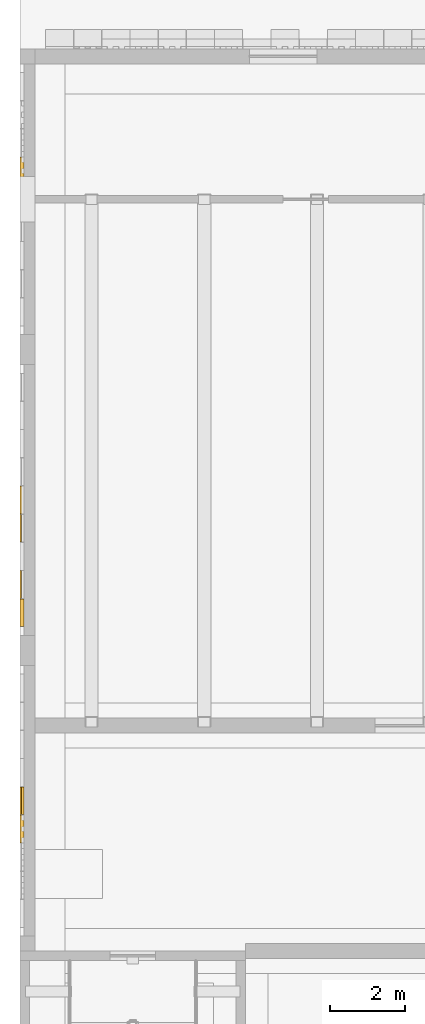
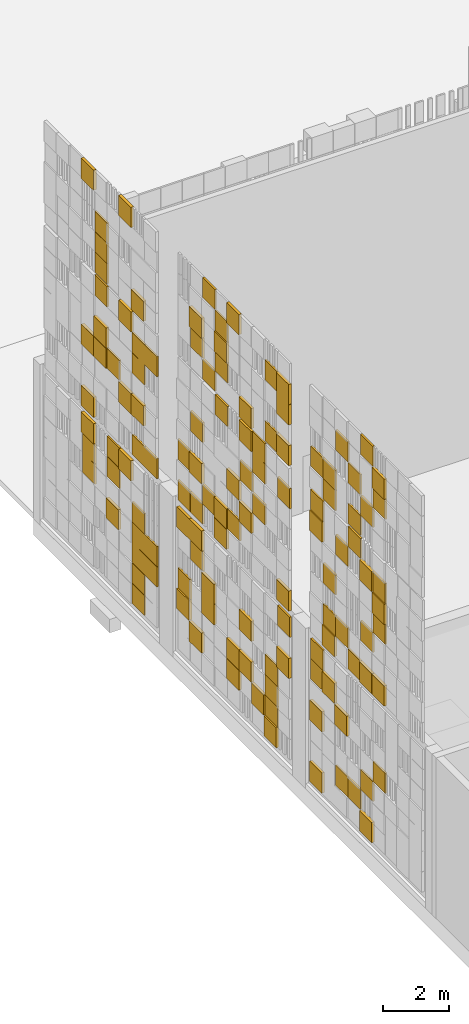
# One storey, part 91 of 125: 2 coverings.
"""IFC4 building model written with IfcOpenShell, lengths in metres."""

from ifc_helpers import new_model, si_unit, direction, frame, origin, origin_2d, place, context, subcontext, project, spatial, rectangle, extrude, material, layer, layer_set, type_object, element, save


model = new_model("IFC4")

# Units and contexts
model_context = context("Model", 3, precision=1e-05, world=origin(), true_north=direction((0.0, 1.0)))
body_context = subcontext(model_context, "Body", "Model", "MODEL_VIEW")
ifc_project = project(units=[si_unit("LENGTHUNIT", "METRE"), si_unit("AREAUNIT", "SQUARE_METRE"), si_unit("VOLUMEUNIT", "CUBIC_METRE"), si_unit("PLANEANGLEUNIT", "RADIAN"), si_unit("MASSUNIT", "GRAM", prefix="KILO")], contexts=[model_context])

# Site, building, storey
site_placement = place(None, origin())
site = spatial("IfcSite", under=ifc_project, at=site_placement, CompositionType="ELEMENT")
building_placement = place(site_placement, origin())
building = spatial("IfcBuilding", under=site, at=building_placement, Name="Sun Court Science Centre", CompositionType="ELEMENT")
storey_placement = place(building_placement, origin())
storey = spatial("IfcBuildingStorey", under=building, at=storey_placement, Name="L00", CompositionType="ELEMENT", Elevation=0.0)

# Coverings
ifc_material_1 = material(Name="Terracotta shade 3", Category="masonry")
ifc_layer_1 = layer(ifc_material_1, 0.06005859375)
ifc_layer_set_1 = layer_set([ifc_layer_1], Name="Terracotta shade 3")
covering_type_1 = type_object("IfcCoveringType", Name="Terracotta pixel panel shade 3", PredefinedType="CLADDING", material=ifc_layer_set_1)
covering_1_placement = place(storey_placement, origin())
element("IfcCovering", 1, at=covering_1_placement, inside=storey, type_object=covering_type_1, Name="Terracotta pixel cladding shade 3 west party wall L00", PredefinedType="CLADDING", context=body_context, shape_type="SweptSolid", body=[
    extrude(rectangle(XDim=0.739990234375, YDim=0.10009765625, at=origin_2d()), frame((0.050048828125, 52.0, 0.22998046875), z_axis=(0.0, 0.0, 1.0), x_axis=(0.0, 1.0, 0.0)), (0.0, 0.0, 1.0), 0.739990234375),
    extrude(rectangle(XDim=0.739990234375, YDim=0.06005859375, at=origin_2d()), frame((0.070068359375, 52.75, 0.97998046875), z_axis=(0.0, 0.0, 1.0), x_axis=(0.0, 1.0, 0.0)), (0.0, 0.0, 1.0), 0.739990234375),
    extrude(rectangle(XDim=0.739990234375, YDim=0.06005859375, at=origin_2d()), frame((0.070068359375, 52.0, 1.72998046875), z_axis=(0.0, 0.0, 1.0), x_axis=(0.0, 1.0, 0.0)), (0.0, 0.0, 1.0), 0.739990234375),
    extrude(rectangle(XDim=0.739990234375, YDim=0.06005859375, at=origin_2d()), frame((0.070068359375, 51.25, 2.47998046875), z_axis=(0.0, 0.0, 1.0), x_axis=(0.0, 1.0, 0.0)), (0.0, 0.0, 1.0), 0.739990234375),
    extrude(rectangle(XDim=0.739990234375, YDim=0.10009765625, at=origin_2d()), frame((0.050048828125, 55.0, 2.47998046875), z_axis=(0.0, 0.0, 1.0), x_axis=(0.0, 1.0, 0.0)), (0.0, 0.0, 1.0), 0.739990234375),
    extrude(rectangle(XDim=0.739990234375, YDim=0.10009765625, at=origin_2d()), frame((0.050048828125, 53.5, 3.22998046875), z_axis=(0.0, 0.0, 1.0), x_axis=(0.0, 1.0, 0.0)), (0.0, 0.0, 1.0), 0.739990234375),
    extrude(rectangle(XDim=0.739990234375, YDim=0.10009765625, at=origin_2d()), frame((0.050048828125, 54.25, 3.97998046875), z_axis=(0.0, 0.0, 1.0), x_axis=(0.0, 1.0, 0.0)), (0.0, 0.0, 1.0), 0.739990234375),
    extrude(rectangle(XDim=0.739990234375, YDim=0.06005859375, at=origin_2d()), frame((0.070068359375, 55.0, 4.72998046875), z_axis=(0.0, 0.0, 1.0), x_axis=(0.0, 1.0, 0.0)), (0.0, 0.0, 1.0), 0.739990234375),
    extrude(rectangle(XDim=0.739990234375, YDim=0.10009765625, at=origin_2d()), frame((0.050048828125, 51.25, 5.705078125), z_axis=(0.0, 0.0, 1.0), x_axis=(0.0, 1.0, 0.0)), (0.0, 0.0, 1.0), 0.739990234375),
    extrude(rectangle(XDim=0.739990234375, YDim=0.10009765625, at=origin_2d()), frame((0.050048828125, 54.25, 5.705078125), z_axis=(0.0, 0.0, 1.0), x_axis=(0.0, 1.0, 0.0)), (0.0, 0.0, 1.0), 0.739990234375),
    extrude(rectangle(XDim=0.739990234375, YDim=0.06005859375, at=origin_2d()), frame((0.070068359375, 53.5, 6.455078125), z_axis=(0.0, 0.0, 1.0), x_axis=(0.0, 1.0, 0.0)), (0.0, 0.0, 1.0), 0.739990234375),
    extrude(rectangle(XDim=0.739990234375, YDim=0.06005859375, at=origin_2d()), frame((0.070068359375, 54.25, 7.955078125), z_axis=(0.0, 0.0, 1.0), x_axis=(0.0, 1.0, 0.0)), (0.0, 0.0, 1.0), 0.739990234375),
    extrude(rectangle(XDim=0.739990234375, YDim=0.10009765625, at=origin_2d()), frame((0.050048828125, 52.0, 9.455078125), z_axis=(0.0, 0.0, 1.0), x_axis=(0.0, 1.0, 0.0)), (0.0, 0.0, 1.0), 0.739990234375),
    extrude(rectangle(XDim=0.739990234375, YDim=0.10009765625, at=origin_2d()), frame((0.050048828125, 55.0, 9.455078125), z_axis=(0.0, 0.0, 1.0), x_axis=(0.0, 1.0, 0.0)), (0.0, 0.0, 1.0), 0.739990234375),
    extrude(rectangle(XDim=0.739990234375, YDim=0.06005859375, at=origin_2d()), frame((0.070068359375, 52.75, 10.205078125), z_axis=(0.0, 0.0, 1.0), x_axis=(0.0, 1.0, 0.0)), (0.0, 0.0, 1.0), 0.739990234375),
    extrude(rectangle(XDim=0.739990234375, YDim=0.06005859375, at=origin_2d()), frame((0.070068359375, 52.0, 11.80126953125), z_axis=(0.0, 0.0, 1.0), x_axis=(0.0, 1.0, 0.0)), (0.0, 0.0, 1.0), 0.739990234375),
    extrude(rectangle(XDim=0.739990234375, YDim=0.06005859375, at=origin_2d()), frame((0.070068359375, 54.25, 11.80126953125), z_axis=(0.0, 0.0, 1.0), x_axis=(0.0, 1.0, 0.0)), (0.0, 0.0, 1.0), 0.739990234375),
    extrude(rectangle(XDim=0.739990234375, YDim=0.06005859375, at=origin_2d()), frame((0.070068359375, 51.25, 12.55126953125), z_axis=(0.0, 0.0, 1.0), x_axis=(0.0, 1.0, 0.0)), (0.0, 0.0, 1.0), 0.739990234375),
    extrude(rectangle(XDim=0.739990234375, YDim=0.06005859375, at=origin_2d()), frame((0.070068359375, 52.75, 12.55126953125), z_axis=(0.0, 0.0, 1.0), x_axis=(0.0, 1.0, 0.0)), (0.0, 0.0, 1.0), 0.739990234375),
    extrude(rectangle(XDim=0.739990234375, YDim=0.06005859375, at=origin_2d()), frame((0.070068359375, 52.0, 14.05126953125), z_axis=(0.0, 0.0, 1.0), x_axis=(0.0, 1.0, 0.0)), (0.0, 0.0, 1.0), 0.739990234375),
    extrude(rectangle(XDim=0.739990234375, YDim=0.10009765625, at=origin_2d()), frame((0.050048828125, 58.5, 0.97998046875), z_axis=(0.0, 0.0, 1.0), x_axis=(0.0, 1.0, 0.0)), (0.0, 0.0, 1.0), 0.739990234375),
    extrude(rectangle(XDim=0.739990234375, YDim=0.10009765625, at=origin_2d()), frame((0.050048828125, 60.0, 0.97998046875), z_axis=(0.0, 0.0, 1.0), x_axis=(0.0, 1.0, 0.0)), (0.0, 0.0, 1.0), 0.739990234375),
    extrude(rectangle(XDim=0.739990234375, YDim=0.10009765625, at=origin_2d()), frame((0.050048828125, 62.25, 0.97998046875), z_axis=(0.0, 0.0, 1.0), x_axis=(0.0, 1.0, 0.0)), (0.0, 0.0, 1.0), 0.739990234375),
    extrude(rectangle(XDim=0.739990234375, YDim=0.06005859375, at=origin_2d()), frame((0.070068359375, 57.75, 1.72998046875), z_axis=(0.0, 0.0, 1.0), x_axis=(0.0, 1.0, 0.0)), (0.0, 0.0, 1.0), 0.739990234375),
    extrude(rectangle(XDim=0.739990234375, YDim=0.10009765625, at=origin_2d()), frame((0.050048828125, 60.0, 1.72998046875), z_axis=(0.0, 0.0, 1.0), x_axis=(0.0, 1.0, 0.0)), (0.0, 0.0, 1.0), 0.739990234375),
    extrude(rectangle(XDim=0.739990234375, YDim=0.10009765625, at=origin_2d()), frame((0.050048828125, 61.5, 2.47998046875), z_axis=(0.0, 0.0, 1.0), x_axis=(0.0, 1.0, 0.0)), (0.0, 0.0, 1.0), 0.739990234375),
    extrude(rectangle(XDim=0.739990234375, YDim=0.10009765625, at=origin_2d()), frame((0.050048828125, 57.0, 3.22998046875), z_axis=(0.0, 0.0, 1.0), x_axis=(0.0, 1.0, 0.0)), (0.0, 0.0, 1.0), 0.739990234375),
    extrude(rectangle(XDim=0.739990234375, YDim=0.10009765625, at=origin_2d()), frame((0.050048828125, 61.5, 3.22998046875), z_axis=(0.0, 0.0, 1.0), x_axis=(0.0, 1.0, 0.0)), (0.0, 0.0, 1.0), 0.739990234375),
    extrude(rectangle(XDim=0.739990234375, YDim=0.06005859375, at=origin_2d()), frame((0.070068359375, 62.25, 3.97998046875), z_axis=(0.0, 0.0, 1.0), x_axis=(0.0, 1.0, 0.0)), (0.0, 0.0, 1.0), 0.739990234375),
    extrude(rectangle(XDim=0.739990234375, YDim=0.10009765625, at=origin_2d()), frame((0.050048828125, 62.25, 4.72998046875), z_axis=(0.0, 0.0, 1.0), x_axis=(0.0, 1.0, 0.0)), (0.0, 0.0, 1.0), 0.739990234375),
    extrude(rectangle(XDim=0.739990234375, YDim=0.10009765625, at=origin_2d()), frame((0.050048828125, 63.0, 4.72998046875), z_axis=(0.0, 0.0, 1.0), x_axis=(0.0, 1.0, 0.0)), (0.0, 0.0, 1.0), 0.739990234375),
    extrude(rectangle(XDim=0.739990234375, YDim=0.10009765625, at=origin_2d()), frame((0.050048828125, 57.0, 5.705078125), z_axis=(0.0, 0.0, 1.0), x_axis=(0.0, 1.0, 0.0)), (0.0, 0.0, 1.0), 0.739990234375),
    extrude(rectangle(XDim=0.739990234375, YDim=0.10009765625, at=origin_2d()), frame((0.050048828125, 60.75, 5.705078125), z_axis=(0.0, 0.0, 1.0), x_axis=(0.0, 1.0, 0.0)), (0.0, 0.0, 1.0), 0.739990234375),
    extrude(rectangle(XDim=0.739990234375, YDim=0.06005859375, at=origin_2d()), frame((0.070068359375, 62.25, 5.705078125), z_axis=(0.0, 0.0, 1.0), x_axis=(0.0, 1.0, 0.0)), (0.0, 0.0, 1.0), 0.739990234375),
    extrude(rectangle(XDim=0.739990234375, YDim=0.10009765625, at=origin_2d()), frame((0.050048828125, 60.75, 6.455078125), z_axis=(0.0, 0.0, 1.0), x_axis=(0.0, 1.0, 0.0)), (0.0, 0.0, 1.0), 0.739990234375),
    extrude(rectangle(XDim=0.739990234375, YDim=0.06005859375, at=origin_2d()), frame((0.070068359375, 61.5, 6.455078125), z_axis=(0.0, 0.0, 1.0), x_axis=(0.0, 1.0, 0.0)), (0.0, 0.0, 1.0), 0.739990234375),
    extrude(rectangle(XDim=0.739990234375, YDim=0.10009765625, at=origin_2d()), frame((0.050048828125, 59.25, 7.205078125), z_axis=(0.0, 0.0, 1.0), x_axis=(0.0, 1.0, 0.0)), (0.0, 0.0, 1.0), 0.739990234375),
    extrude(rectangle(XDim=0.739990234375, YDim=0.10009765625, at=origin_2d()), frame((0.050048828125, 62.25, 7.205078125), z_axis=(0.0, 0.0, 1.0), x_axis=(0.0, 1.0, 0.0)), (0.0, 0.0, 1.0), 0.739990234375),
    extrude(rectangle(XDim=0.739990234375, YDim=0.06005859375, at=origin_2d()), frame((0.070068359375, 63.0, 7.205078125), z_axis=(0.0, 0.0, 1.0), x_axis=(0.0, 1.0, 0.0)), (0.0, 0.0, 1.0), 0.739990234375),
    extrude(rectangle(XDim=0.739990234375, YDim=0.06005859375, at=origin_2d()), frame((0.070068359375, 58.5, 7.955078125), z_axis=(0.0, 0.0, 1.0), x_axis=(0.0, 1.0, 0.0)), (0.0, 0.0, 1.0), 0.739990234375),
    extrude(rectangle(XDim=0.739990234375, YDim=0.06005859375, at=origin_2d()), frame((0.070068359375, 62.25, 8.705078125), z_axis=(0.0, 0.0, 1.0), x_axis=(0.0, 1.0, 0.0)), (0.0, 0.0, 1.0), 0.739990234375),
    extrude(rectangle(XDim=0.739990234375, YDim=0.10009765625, at=origin_2d()), frame((0.050048828125, 59.25, 10.205078125), z_axis=(0.0, 0.0, 1.0), x_axis=(0.0, 1.0, 0.0)), (0.0, 0.0, 1.0), 0.739990234375),
    extrude(rectangle(XDim=0.739990234375, YDim=0.10009765625, at=origin_2d()), frame((0.050048828125, 59.25, 11.05126953125), z_axis=(0.0, 0.0, 1.0), x_axis=(0.0, 1.0, 0.0)), (0.0, 0.0, 1.0), 0.739990234375),
    extrude(rectangle(XDim=0.739990234375, YDim=0.06005859375, at=origin_2d()), frame((0.070068359375, 61.5, 11.05126953125), z_axis=(0.0, 0.0, 1.0), x_axis=(0.0, 1.0, 0.0)), (0.0, 0.0, 1.0), 0.739990234375),
    extrude(rectangle(XDim=0.739990234375, YDim=0.06005859375, at=origin_2d()), frame((0.070068359375, 60.75, 11.80126953125), z_axis=(0.0, 0.0, 1.0), x_axis=(0.0, 1.0, 0.0)), (0.0, 0.0, 1.0), 0.739990234375),
    extrude(rectangle(XDim=0.739990234375, YDim=0.10009765625, at=origin_2d()), frame((0.050048828125, 57.0, 12.55126953125), z_axis=(0.0, 0.0, 1.0), x_axis=(0.0, 1.0, 0.0)), (0.0, 0.0, 1.0), 0.739990234375),
    extrude(rectangle(XDim=0.739990234375, YDim=0.10009765625, at=origin_2d()), frame((0.050048828125, 62.25, 12.55126953125), z_axis=(0.0, 0.0, 1.0), x_axis=(0.0, 1.0, 0.0)), (0.0, 0.0, 1.0), 0.739990234375),
    extrude(rectangle(XDim=0.739990234375, YDim=0.10009765625, at=origin_2d()), frame((0.050048828125, 57.0, 13.30126953125), z_axis=(0.0, 0.0, 1.0), x_axis=(0.0, 1.0, 0.0)), (0.0, 0.0, 1.0), 0.739990234375),
    extrude(rectangle(XDim=0.739990234375, YDim=0.06005859375, at=origin_2d()), frame((0.070068359375, 57.75, 13.30126953125), z_axis=(0.0, 0.0, 1.0), x_axis=(0.0, 1.0, 0.0)), (0.0, 0.0, 1.0), 0.739990234375),
    extrude(rectangle(XDim=0.739990234375, YDim=0.06005859375, at=origin_2d()), frame((0.070068359375, 61.5, 14.05126953125), z_axis=(0.0, 0.0, 1.0), x_axis=(0.0, 1.0, 0.0)), (0.0, 0.0, 1.0), 0.739990234375),
    extrude(rectangle(XDim=0.739990234375, YDim=0.06005859375, at=origin_2d()), frame((0.070068359375, 65.0, 1.72998046875), z_axis=(0.0, 0.0, 1.0), x_axis=(0.0, 1.0, 0.0)), (0.0, 0.0, 1.0), 0.739990234375),
    extrude(rectangle(XDim=0.739990234375, YDim=0.06005859375, at=origin_2d()), frame((0.070068359375, 65.75, 1.72998046875), z_axis=(0.0, 0.0, 1.0), x_axis=(0.0, 1.0, 0.0)), (0.0, 0.0, 1.0), 0.739990234375),
    extrude(rectangle(XDim=0.739990234375, YDim=0.06005859375, at=origin_2d()), frame((0.070068359375, 65.0, 2.47998046875), z_axis=(0.0, 0.0, 1.0), x_axis=(0.0, 1.0, 0.0)), (0.0, 0.0, 1.0), 0.739990234375),
    extrude(rectangle(XDim=0.739990234375, YDim=0.06005859375, at=origin_2d()), frame((0.070068359375, 65.75, 2.47998046875), z_axis=(0.0, 0.0, 1.0), x_axis=(0.0, 1.0, 0.0)), (0.0, 0.0, 1.0), 0.739990234375),
    extrude(rectangle(XDim=0.739990234375, YDim=0.10009765625, at=origin_2d()), frame((0.050048828125, 67.25, 2.47998046875), z_axis=(0.0, 0.0, 1.0), x_axis=(0.0, 1.0, 0.0)), (0.0, 0.0, 1.0), 0.739990234375),
    extrude(rectangle(XDim=0.739990234375, YDim=0.06005859375, at=origin_2d()), frame((0.070068359375, 67.25, 3.97998046875), z_axis=(0.0, 0.0, 1.0), x_axis=(0.0, 1.0, 0.0)), (0.0, 0.0, 1.0), 0.739990234375),
    extrude(rectangle(XDim=0.739990234375, YDim=0.06005859375, at=origin_2d()), frame((0.070068359375, 67.25, 4.72998046875), z_axis=(0.0, 0.0, 1.0), x_axis=(0.0, 1.0, 0.0)), (0.0, 0.0, 1.0), 0.739990234375),
    extrude(rectangle(XDim=0.739990234375, YDim=0.10009765625, at=origin_2d()), frame((0.050048828125, 65.75, 7.205078125), z_axis=(0.0, 0.0, 1.0), x_axis=(0.0, 1.0, 0.0)), (0.0, 0.0, 1.0), 0.739990234375),
    extrude(rectangle(XDim=0.739990234375, YDim=0.06005859375, at=origin_2d()), frame((0.070068359375, 67.25, 7.955078125), z_axis=(0.0, 0.0, 1.0), x_axis=(0.0, 1.0, 0.0)), (0.0, 0.0, 1.0), 0.739990234375),
    extrude(rectangle(XDim=0.739990234375, YDim=0.10009765625, at=origin_2d()), frame((0.050048828125, 68.75, 7.955078125), z_axis=(0.0, 0.0, 1.0), x_axis=(0.0, 1.0, 0.0)), (0.0, 0.0, 1.0), 0.739990234375),
    extrude(rectangle(XDim=0.739990234375, YDim=0.06005859375, at=origin_2d()), frame((0.070068359375, 65.75, 8.705078125), z_axis=(0.0, 0.0, 1.0), x_axis=(0.0, 1.0, 0.0)), (0.0, 0.0, 1.0), 0.739990234375),
    extrude(rectangle(XDim=0.739990234375, YDim=0.10009765625, at=origin_2d()), frame((0.050048828125, 68.0, 8.705078125), z_axis=(0.0, 0.0, 1.0), x_axis=(0.0, 1.0, 0.0)), (0.0, 0.0, 1.0), 0.739990234375),
    extrude(rectangle(XDim=0.739990234375, YDim=0.06005859375, at=origin_2d()), frame((0.070068359375, 65.0, 9.455078125), z_axis=(0.0, 0.0, 1.0), x_axis=(0.0, 1.0, 0.0)), (0.0, 0.0, 1.0), 0.739990234375),
    extrude(rectangle(XDim=0.739990234375, YDim=0.06005859375, at=origin_2d()), frame((0.070068359375, 65.75, 9.455078125), z_axis=(0.0, 0.0, 1.0), x_axis=(0.0, 1.0, 0.0)), (0.0, 0.0, 1.0), 0.739990234375),
    extrude(rectangle(XDim=0.739990234375, YDim=0.06005859375, at=origin_2d()), frame((0.070068359375, 68.0, 10.205078125), z_axis=(0.0, 0.0, 1.0), x_axis=(0.0, 1.0, 0.0)), (0.0, 0.0, 1.0), 0.739990234375),
    extrude(rectangle(XDim=0.739990234375, YDim=0.06005859375, at=origin_2d()), frame((0.070068359375, 68.0, 11.05126953125), z_axis=(0.0, 0.0, 1.0), x_axis=(0.0, 1.0, 0.0)), (0.0, 0.0, 1.0), 0.739990234375),
    extrude(rectangle(XDim=0.739990234375, YDim=0.06005859375, at=origin_2d()), frame((0.070068359375, 68.0, 12.55126953125), z_axis=(0.0, 0.0, 1.0), x_axis=(0.0, 1.0, 0.0)), (0.0, 0.0, 1.0), 0.739990234375),
    extrude(rectangle(XDim=0.739990234375, YDim=0.10009765625, at=origin_2d()), frame((0.050048828125, 66.5, 14.05126953125), z_axis=(0.0, 0.0, 1.0), x_axis=(0.0, 1.0, 0.0)), (0.0, 0.0, 1.0), 0.739990234375),
    extrude(rectangle(XDim=0.739990234375, YDim=0.06005859375, at=origin_2d()), frame((0.070068359375, 51.25, 7.955078125), z_axis=(0.0, 0.0, 1.0), x_axis=(0.0, 1.0, 0.0)), (0.0, 0.0, 1.0), 0.739990234375),
    extrude(rectangle(XDim=0.739990234375, YDim=0.06005859375, at=origin_2d()), frame((0.070068359375, 51.25, 9.455078125), z_axis=(0.0, 0.0, 1.0), x_axis=(0.0, 1.0, 0.0)), (0.0, 0.0, 1.0), 0.739990234375),
    extrude(rectangle(XDim=0.739990234375, YDim=0.10009765625, at=origin_2d()), frame((0.050048828125, 51.25, 13.30126953125), z_axis=(0.0, 0.0, 1.0), x_axis=(0.0, 1.0, 0.0)), (0.0, 0.0, 1.0), 0.739990234375),
    extrude(rectangle(XDim=0.739990234375, YDim=0.06005859375, at=origin_2d()), frame((0.070068359375, 68.75, 3.22998046875), z_axis=(0.0, 0.0, 1.0), x_axis=(0.0, 1.0, 0.0)), (0.0, 0.0, 1.0), 0.739990234375),
    extrude(rectangle(XDim=0.739990234375, YDim=0.06005859375, at=origin_2d()), frame((0.070068359375, 68.75, 3.97998046875), z_axis=(0.0, 0.0, 1.0), x_axis=(0.0, 1.0, 0.0)), (0.0, 0.0, 1.0), 0.739990234375),
    extrude(rectangle(XDim=0.739990234375, YDim=0.10009765625, at=origin_2d()), frame((0.050048828125, 68.75, 5.705078125), z_axis=(0.0, 0.0, 1.0), x_axis=(0.0, 1.0, 0.0)), (0.0, 0.0, 1.0), 0.739990234375),
    extrude(rectangle(XDim=0.739990234375, YDim=0.10009765625, at=origin_2d()), frame((0.050048828125, 68.75, 14.05126953125), z_axis=(0.0, 0.0, 1.0), x_axis=(0.0, 1.0, 0.0)), (0.0, 0.0, 1.0), 0.739990234375),
    extrude(rectangle(XDim=0.739990234375, YDim=0.10009765625, at=origin_2d()), frame((0.050048828125, 51.25, 8.705078125), z_axis=(0.0, 0.0, 1.0), x_axis=(0.0, 1.0, 0.0)), (0.0, 0.0, 1.0), 0.739990234375),
    extrude(rectangle(XDim=0.739990234375, YDim=0.10009765625, at=origin_2d()), frame((0.050048828125, 68.75, 4.72998046875), z_axis=(0.0, 0.0, 1.0), x_axis=(0.0, 1.0, 0.0)), (0.0, 0.0, 1.0), 0.739990234375),
])
ifc_material_2 = material(Name="Terracotta shade 4", Category="masonry")
ifc_layer_2 = layer(ifc_material_2, 0.06005859375)
ifc_layer_set_2 = layer_set([ifc_layer_2], Name="Terracotta shade 4")
covering_type_2 = type_object("IfcCoveringType", Name="Terracotta pixel panel shade 4", PredefinedType="CLADDING", material=ifc_layer_set_2)
covering_2_placement = place(storey_placement, origin())
element("IfcCovering", 2, at=covering_2_placement, inside=storey, type_object=covering_type_2, Name="Terracotta pixel cladding shade 4 west party wall L00", PredefinedType="CLADDING", context=body_context, shape_type="SweptSolid", body=[
    extrude(rectangle(XDim=0.739990234375, YDim=0.10009765625, at=origin_2d()), frame((0.050048828125, 55.0, 0.22998046875), z_axis=(0.0, 0.0, 1.0), x_axis=(0.0, 1.0, 0.0)), (0.0, 0.0, 1.0), 0.739990234375),
    extrude(rectangle(XDim=0.739990234375, YDim=0.06005859375, at=origin_2d()), frame((0.070068359375, 53.5, 0.97998046875), z_axis=(0.0, 0.0, 1.0), x_axis=(0.0, 1.0, 0.0)), (0.0, 0.0, 1.0), 0.739990234375),
    extrude(rectangle(XDim=0.739990234375, YDim=0.06005859375, at=origin_2d()), frame((0.070068359375, 55.0, 3.97998046875), z_axis=(0.0, 0.0, 1.0), x_axis=(0.0, 1.0, 0.0)), (0.0, 0.0, 1.0), 0.739990234375),
    extrude(rectangle(XDim=0.739990234375, YDim=0.06005859375, at=origin_2d()), frame((0.070068359375, 52.75, 5.705078125), z_axis=(0.0, 0.0, 1.0), x_axis=(0.0, 1.0, 0.0)), (0.0, 0.0, 1.0), 0.739990234375),
    extrude(rectangle(XDim=0.739990234375, YDim=0.06005859375, at=origin_2d()), frame((0.070068359375, 54.25, 6.455078125), z_axis=(0.0, 0.0, 1.0), x_axis=(0.0, 1.0, 0.0)), (0.0, 0.0, 1.0), 0.739990234375),
    extrude(rectangle(XDim=0.739990234375, YDim=0.06005859375, at=origin_2d()), frame((0.070068359375, 52.0, 7.205078125), z_axis=(0.0, 0.0, 1.0), x_axis=(0.0, 1.0, 0.0)), (0.0, 0.0, 1.0), 0.739990234375),
    extrude(rectangle(XDim=0.739990234375, YDim=0.06005859375, at=origin_2d()), frame((0.070068359375, 53.5, 9.455078125), z_axis=(0.0, 0.0, 1.0), x_axis=(0.0, 1.0, 0.0)), (0.0, 0.0, 1.0), 0.739990234375),
    extrude(rectangle(XDim=0.739990234375, YDim=0.06005859375, at=origin_2d()), frame((0.070068359375, 55.0, 10.205078125), z_axis=(0.0, 0.0, 1.0), x_axis=(0.0, 1.0, 0.0)), (0.0, 0.0, 1.0), 0.739990234375),
    extrude(rectangle(XDim=0.739990234375, YDim=0.06005859375, at=origin_2d()), frame((0.070068359375, 52.75, 11.05126953125), z_axis=(0.0, 0.0, 1.0), x_axis=(0.0, 1.0, 0.0)), (0.0, 0.0, 1.0), 0.739990234375),
    extrude(rectangle(XDim=0.739990234375, YDim=0.06005859375, at=origin_2d()), frame((0.070068359375, 54.25, 11.05126953125), z_axis=(0.0, 0.0, 1.0), x_axis=(0.0, 1.0, 0.0)), (0.0, 0.0, 1.0), 0.739990234375),
    extrude(rectangle(XDim=0.739990234375, YDim=0.06005859375, at=origin_2d()), frame((0.070068359375, 55.0, 11.80126953125), z_axis=(0.0, 0.0, 1.0), x_axis=(0.0, 1.0, 0.0)), (0.0, 0.0, 1.0), 0.739990234375),
    extrude(rectangle(XDim=0.739990234375, YDim=0.06005859375, at=origin_2d()), frame((0.070068359375, 53.5, 13.30126953125), z_axis=(0.0, 0.0, 1.0), x_axis=(0.0, 1.0, 0.0)), (0.0, 0.0, 1.0), 0.739990234375),
    extrude(rectangle(XDim=0.739990234375, YDim=0.10009765625, at=origin_2d()), frame((0.050048828125, 57.75, 0.22998046875), z_axis=(0.0, 0.0, 1.0), x_axis=(0.0, 1.0, 0.0)), (0.0, 0.0, 1.0), 0.739990234375),
    extrude(rectangle(XDim=0.739990234375, YDim=0.06005859375, at=origin_2d()), frame((0.070068359375, 57.75, 0.97998046875), z_axis=(0.0, 0.0, 1.0), x_axis=(0.0, 1.0, 0.0)), (0.0, 0.0, 1.0), 0.739990234375),
    extrude(rectangle(XDim=0.739990234375, YDim=0.10009765625, at=origin_2d()), frame((0.050048828125, 59.25, 1.72998046875), z_axis=(0.0, 0.0, 1.0), x_axis=(0.0, 1.0, 0.0)), (0.0, 0.0, 1.0), 0.739990234375),
    extrude(rectangle(XDim=0.739990234375, YDim=0.10009765625, at=origin_2d()), frame((0.050048828125, 63.0, 1.72998046875), z_axis=(0.0, 0.0, 1.0), x_axis=(0.0, 1.0, 0.0)), (0.0, 0.0, 1.0), 0.739990234375),
    extrude(rectangle(XDim=0.739990234375, YDim=0.06005859375, at=origin_2d()), frame((0.070068359375, 57.75, 2.47998046875), z_axis=(0.0, 0.0, 1.0), x_axis=(0.0, 1.0, 0.0)), (0.0, 0.0, 1.0), 0.739990234375),
    extrude(rectangle(XDim=0.739990234375, YDim=0.06005859375, at=origin_2d()), frame((0.070068359375, 63.0, 2.47998046875), z_axis=(0.0, 0.0, 1.0), x_axis=(0.0, 1.0, 0.0)), (0.0, 0.0, 1.0), 0.739990234375),
    extrude(rectangle(XDim=0.739990234375, YDim=0.10009765625, at=origin_2d()), frame((0.050048828125, 59.25, 3.22998046875), z_axis=(0.0, 0.0, 1.0), x_axis=(0.0, 1.0, 0.0)), (0.0, 0.0, 1.0), 0.739990234375),
    extrude(rectangle(XDim=0.739990234375, YDim=0.06005859375, at=origin_2d()), frame((0.070068359375, 57.0, 4.72998046875), z_axis=(0.0, 0.0, 1.0), x_axis=(0.0, 1.0, 0.0)), (0.0, 0.0, 1.0), 0.739990234375),
    extrude(rectangle(XDim=0.739990234375, YDim=0.06005859375, at=origin_2d()), frame((0.070068359375, 63.0, 5.705078125), z_axis=(0.0, 0.0, 1.0), x_axis=(0.0, 1.0, 0.0)), (0.0, 0.0, 1.0), 0.739990234375),
    extrude(rectangle(XDim=0.739990234375, YDim=0.06005859375, at=origin_2d()), frame((0.070068359375, 60.0, 6.455078125), z_axis=(0.0, 0.0, 1.0), x_axis=(0.0, 1.0, 0.0)), (0.0, 0.0, 1.0), 0.739990234375),
    extrude(rectangle(XDim=0.739990234375, YDim=0.10009765625, at=origin_2d()), frame((0.050048828125, 60.0, 7.955078125), z_axis=(0.0, 0.0, 1.0), x_axis=(0.0, 1.0, 0.0)), (0.0, 0.0, 1.0), 0.739990234375),
    extrude(rectangle(XDim=0.739990234375, YDim=0.06005859375, at=origin_2d()), frame((0.070068359375, 59.25, 8.705078125), z_axis=(0.0, 0.0, 1.0), x_axis=(0.0, 1.0, 0.0)), (0.0, 0.0, 1.0), 0.739990234375),
    extrude(rectangle(XDim=0.739990234375, YDim=0.06005859375, at=origin_2d()), frame((0.070068359375, 57.0, 9.455078125), z_axis=(0.0, 0.0, 1.0), x_axis=(0.0, 1.0, 0.0)), (0.0, 0.0, 1.0), 0.739990234375),
    extrude(rectangle(XDim=0.739990234375, YDim=0.06005859375, at=origin_2d()), frame((0.070068359375, 58.5, 9.455078125), z_axis=(0.0, 0.0, 1.0), x_axis=(0.0, 1.0, 0.0)), (0.0, 0.0, 1.0), 0.739990234375),
    extrude(rectangle(XDim=0.739990234375, YDim=0.06005859375, at=origin_2d()), frame((0.070068359375, 58.5, 10.205078125), z_axis=(0.0, 0.0, 1.0), x_axis=(0.0, 1.0, 0.0)), (0.0, 0.0, 1.0), 0.739990234375),
    extrude(rectangle(XDim=0.739990234375, YDim=0.06005859375, at=origin_2d()), frame((0.070068359375, 60.75, 10.205078125), z_axis=(0.0, 0.0, 1.0), x_axis=(0.0, 1.0, 0.0)), (0.0, 0.0, 1.0), 0.739990234375),
    extrude(rectangle(XDim=0.739990234375, YDim=0.10009765625, at=origin_2d()), frame((0.050048828125, 57.0, 11.05126953125), z_axis=(0.0, 0.0, 1.0), x_axis=(0.0, 1.0, 0.0)), (0.0, 0.0, 1.0), 0.739990234375),
    extrude(rectangle(XDim=0.739990234375, YDim=0.06005859375, at=origin_2d()), frame((0.070068359375, 57.75, 11.05126953125), z_axis=(0.0, 0.0, 1.0), x_axis=(0.0, 1.0, 0.0)), (0.0, 0.0, 1.0), 0.739990234375),
    extrude(rectangle(XDim=0.739990234375, YDim=0.06005859375, at=origin_2d()), frame((0.070068359375, 62.25, 11.80126953125), z_axis=(0.0, 0.0, 1.0), x_axis=(0.0, 1.0, 0.0)), (0.0, 0.0, 1.0), 0.739990234375),
    extrude(rectangle(XDim=0.739990234375, YDim=0.10009765625, at=origin_2d()), frame((0.050048828125, 60.75, 12.55126953125), z_axis=(0.0, 0.0, 1.0), x_axis=(0.0, 1.0, 0.0)), (0.0, 0.0, 1.0), 0.739990234375),
    extrude(rectangle(XDim=0.739990234375, YDim=0.06005859375, at=origin_2d()), frame((0.070068359375, 60.75, 13.30126953125), z_axis=(0.0, 0.0, 1.0), x_axis=(0.0, 1.0, 0.0)), (0.0, 0.0, 1.0), 0.739990234375),
    extrude(rectangle(XDim=0.739990234375, YDim=0.10009765625, at=origin_2d()), frame((0.050048828125, 60.0, 14.05126953125), z_axis=(0.0, 0.0, 1.0), x_axis=(0.0, 1.0, 0.0)), (0.0, 0.0, 1.0), 0.739990234375),
    extrude(rectangle(XDim=0.739990234375, YDim=0.06005859375, at=origin_2d()), frame((0.070068359375, 65.75, 0.22998046875), z_axis=(0.0, 0.0, 1.0), x_axis=(0.0, 1.0, 0.0)), (0.0, 0.0, 1.0), 0.739990234375),
    extrude(rectangle(XDim=0.739990234375, YDim=0.06005859375, at=origin_2d()), frame((0.070068359375, 65.75, 0.97998046875), z_axis=(0.0, 0.0, 1.0), x_axis=(0.0, 1.0, 0.0)), (0.0, 0.0, 1.0), 0.739990234375),
    extrude(rectangle(XDim=0.739990234375, YDim=0.06005859375, at=origin_2d()), frame((0.070068359375, 65.75, 3.22998046875), z_axis=(0.0, 0.0, 1.0), x_axis=(0.0, 1.0, 0.0)), (0.0, 0.0, 1.0), 0.739990234375),
    extrude(rectangle(XDim=0.739990234375, YDim=0.10009765625, at=origin_2d()), frame((0.050048828125, 66.5, 4.72998046875), z_axis=(0.0, 0.0, 1.0), x_axis=(0.0, 1.0, 0.0)), (0.0, 0.0, 1.0), 0.739990234375),
    extrude(rectangle(XDim=0.739990234375, YDim=0.06005859375, at=origin_2d()), frame((0.070068359375, 65.0, 5.705078125), z_axis=(0.0, 0.0, 1.0), x_axis=(0.0, 1.0, 0.0)), (0.0, 0.0, 1.0), 0.739990234375),
    extrude(rectangle(XDim=0.739990234375, YDim=0.06005859375, at=origin_2d()), frame((0.070068359375, 65.75, 5.705078125), z_axis=(0.0, 0.0, 1.0), x_axis=(0.0, 1.0, 0.0)), (0.0, 0.0, 1.0), 0.739990234375),
    extrude(rectangle(XDim=0.739990234375, YDim=0.10009765625, at=origin_2d()), frame((0.050048828125, 66.5, 7.205078125), z_axis=(0.0, 0.0, 1.0), x_axis=(0.0, 1.0, 0.0)), (0.0, 0.0, 1.0), 0.739990234375),
    extrude(rectangle(XDim=0.739990234375, YDim=0.10009765625, at=origin_2d()), frame((0.050048828125, 68.0, 7.955078125), z_axis=(0.0, 0.0, 1.0), x_axis=(0.0, 1.0, 0.0)), (0.0, 0.0, 1.0), 0.739990234375),
    extrude(rectangle(XDim=0.739990234375, YDim=0.10009765625, at=origin_2d()), frame((0.050048828125, 66.5, 10.205078125), z_axis=(0.0, 0.0, 1.0), x_axis=(0.0, 1.0, 0.0)), (0.0, 0.0, 1.0), 0.739990234375),
    extrude(rectangle(XDim=0.739990234375, YDim=0.10009765625, at=origin_2d()), frame((0.050048828125, 65.75, 11.05126953125), z_axis=(0.0, 0.0, 1.0), x_axis=(0.0, 1.0, 0.0)), (0.0, 0.0, 1.0), 0.739990234375),
    extrude(rectangle(XDim=0.739990234375, YDim=0.06005859375, at=origin_2d()), frame((0.070068359375, 68.0, 11.80126953125), z_axis=(0.0, 0.0, 1.0), x_axis=(0.0, 1.0, 0.0)), (0.0, 0.0, 1.0), 0.739990234375),
    extrude(rectangle(XDim=0.739990234375, YDim=0.10009765625, at=origin_2d()), frame((0.050048828125, 52.0, 5.705078125), z_axis=(0.0, 0.0, 1.0), x_axis=(0.0, 1.0, 0.0)), (0.0, 0.0, 1.0), 0.739990234375),
])

save(model, "model.ifc")
